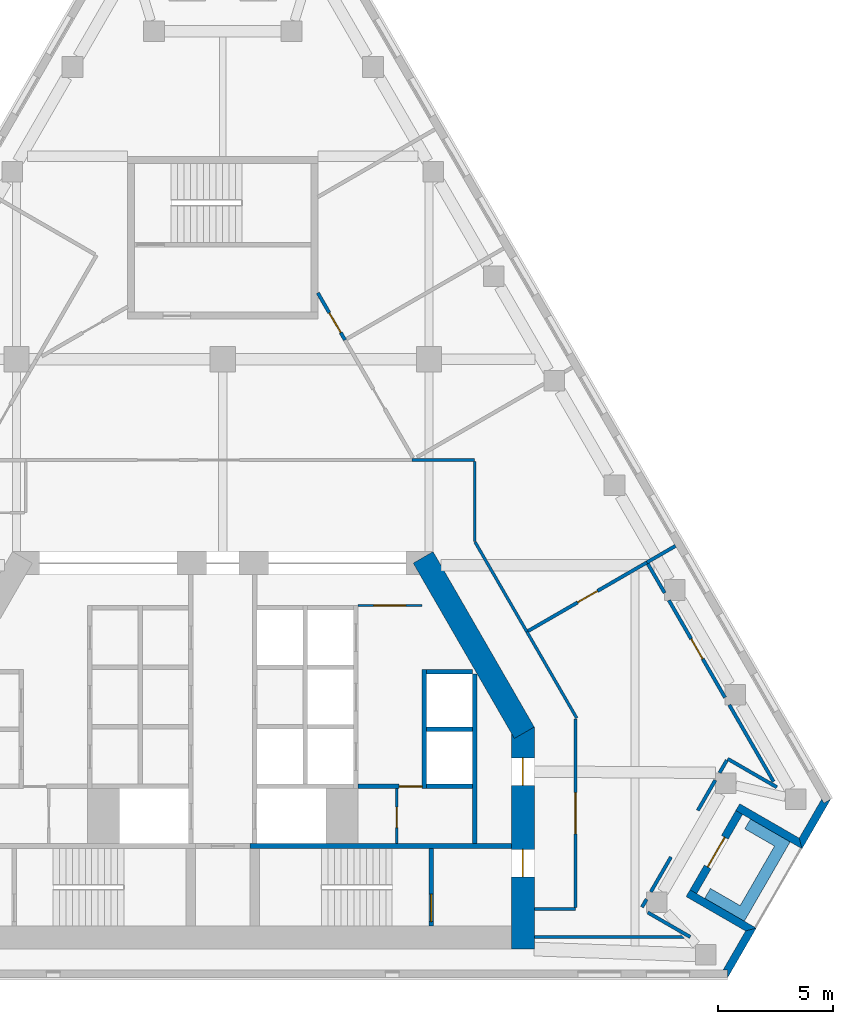
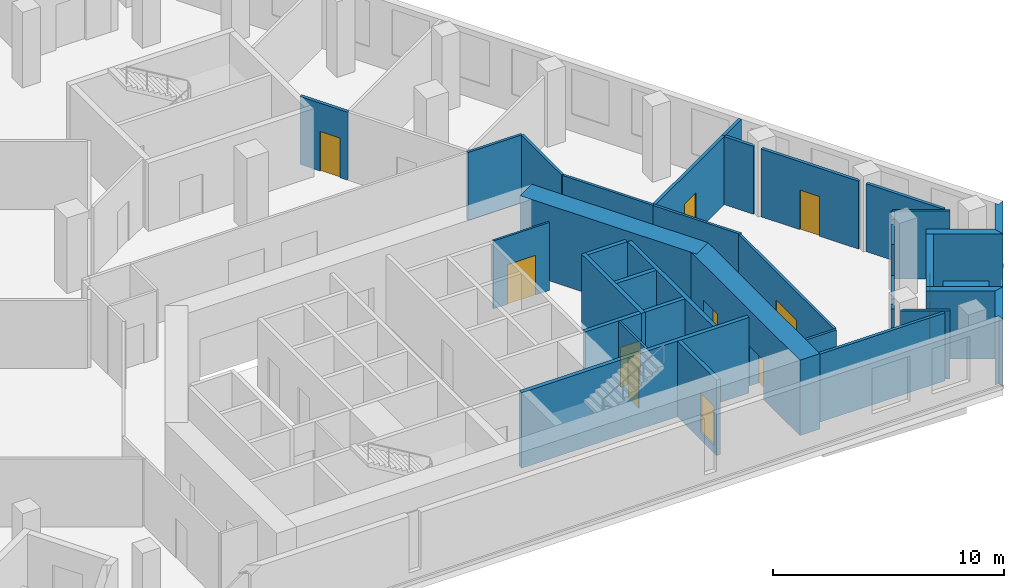
# One storey, part 5 of 8: 37 walls, 11 doors, 11 openings.
"""IFC4 building model written with IfcOpenShell, lengths in metres."""

from ifc_helpers import new_model, si_unit, direction, frame, frame_2d, origin, place, context, subcontext, project, spatial, polyline, rectangle, outline, extrude, material, layer, layer_set, type_object, element, fill, save


model = new_model("IFC4")

# Units and contexts
model_context = context("Model", 3, precision=1e-05, world=origin(), true_north=direction((0.0, 1.0)))
body_context = subcontext(model_context, "Body", "Model", "MODEL_VIEW")
ifc_project = project(units=[si_unit("LENGTHUNIT", "METRE"), si_unit("AREAUNIT", "SQUARE_METRE"), si_unit("VOLUMEUNIT", "CUBIC_METRE"), si_unit("PLANEANGLEUNIT", "RADIAN"), si_unit("MASSUNIT", "GRAM", prefix="KILO")], contexts=[model_context])

# Site, building, storey
site_placement = place(None, origin())
site = spatial("IfcSite", under=ifc_project, at=site_placement, CompositionType="ELEMENT")
building_placement = place(site_placement, origin())
building = spatial("IfcBuilding", under=site, at=building_placement, Name="Fogline Exchange Tower", CompositionType="ELEMENT")
storey_placement = place(building_placement, frame((0.0, 0.0, 239.5)))
storey = spatial("IfcBuildingStorey", under=building, at=storey_placement, Name="L54", CompositionType="ELEMENT", Elevation=239.5)

# Wall, opening, door
ifc_material_1 = material(Name="Blockwork partition", Category="masonry")
ifc_layer_1 = layer(ifc_material_1, 0.10009765625)
ifc_layer_set_1 = layer_set([ifc_layer_1], Name="CW10")
wall_type_1 = type_object("IfcWallType", Name="CW10", PredefinedType="PARTITIONING", material=ifc_layer_set_1)
wall_1_placement = place(storey_placement, frame((5.89990234375, 16.25, 0.0), z_axis=(0.0, 0.0, 1.0), x_axis=(1.0, 0.0, 0.0)))
wall_1 = element("IfcWall", 1, at=wall_1_placement, inside=storey, type_object=wall_type_1, Name="Lift lobby partition", PredefinedType="PARTITIONING", context=body_context, shape_type="SweptSolid", body=[
    extrude(rectangle(XDim=2.800048828125, YDim=0.10009765625, at=frame_2d((1.39990234375, 0.0))), origin(), (0.0, 0.0, 1.0), 3.60009765625),
])
opening_1_placement = place(wall_1_placement, frame((0.699951171875, 0.0, 0.0)))
opening_1 = element("IfcOpeningElement", 2, at=opening_1_placement, cuts=wall_1, Name="Opening T17-C016", PredefinedType="OPENING", context=body_context, shape_type="SweptSolid", body=[
    extrude(rectangle(XDim=1.39990234375, YDim=2.10009765625, at=frame_2d((0.699951171875, 1.050048828125))), frame((0.0, 0.06005859375, 0.0), z_axis=(0.0, -1.0, 0.0), x_axis=(1.0, 0.0, 0.0)), (0.0, 0.0, 1.0), 0.1201171875),
])
ifc_material_2 = material(Name="Steel and timber fire door", Category="steel")
door_type_1 = type_object("IfcDoorType", Name="D-LB1", OperationType="DOUBLE_DOOR_SINGLE_SWING", PredefinedType="DOOR", material=ifc_material_2)
door_1_placement = place(opening_1_placement, origin())
door_1 = element("IfcDoor", 3, at=door_1_placement, inside=storey, type_object=door_type_1, Name="Door to lift lobby", OperationType="DOUBLE_DOOR_SINGLE_SWING", OverallHeight=2.10009765625, OverallWidth=1.39990234375, PredefinedType="DOOR", context=body_context, shape_type="SweptSolid", body=[
    extrude(rectangle(XDim=1.39990234375, YDim=2.10009765625, at=frame_2d((0.699951171875, 1.050048828125))), frame((0.0, 0.02490234375, 0.0), z_axis=(0.0, -1.0, 0.0), x_axis=(1.0, 0.0, 0.0)), (0.0, 0.0, 1.0), 0.050048828125),
])
fill(opening_1, door_1)

wall_2_placement = place(storey_placement, frame((7.60009765625, 5.85009765625, 0.0), z_axis=(0.0, 0.0, 1.0), x_axis=(0.0, 1.0, 0.0)))
wall_2 = element("IfcWall", 4, at=wall_2_placement, inside=storey, type_object=wall_type_1, Name="WC partition", PredefinedType="PARTITIONING", context=body_context, shape_type="SweptSolid", body=[
    extrude(rectangle(XDim=2.39990234375, YDim=0.10009765625, at=frame_2d((1.199951171875, 0.0))), origin(), (0.0, 0.0, 1.0), 3.60009765625),
])
opening_2_placement = place(wall_2_placement, frame((0.699951171875, 0.0, 0.0)))
opening_2 = element("IfcOpeningElement", 5, at=opening_2_placement, cuts=wall_2, Name="Opening T17-C018", PredefinedType="OPENING", context=body_context, shape_type="SweptSolid", body=[
    extrude(rectangle(XDim=0.89990234375, YDim=2.10009765625, at=frame_2d((0.449951171875, 1.050048828125))), frame((0.0, 0.06005859375, 0.0), z_axis=(0.0, -1.0, 0.0), x_axis=(1.0, 0.0, 0.0)), (0.0, 0.0, 1.0), 0.1201171875),
])
door_type_2 = type_object("IfcDoorType", Name="D-CS1", OperationType="SINGLE_SWING_RIGHT", PredefinedType="DOOR", material=ifc_material_2)
door_2_placement = place(opening_2_placement, origin())
door_2 = element("IfcDoor", 6, at=door_2_placement, inside=storey, type_object=door_type_2, Name="Door to Cleaner's Store", OperationType="SINGLE_SWING_LEFT", OverallHeight=2.10009765625, OverallWidth=0.89990234375, PredefinedType="DOOR", context=body_context, shape_type="SweptSolid", body=[
    extrude(rectangle(XDim=0.89990234375, YDim=2.10009765625, at=frame_2d((0.449951171875, 1.050048828125))), frame((0.0, 0.02490234375, 0.0), z_axis=(0.0, -1.0, 0.0), x_axis=(1.0, 0.0, 0.0)), (0.0, 0.0, 1.0), 0.050048828125),
])
fill(opening_2, door_2)

# Wall
ifc_material_3 = material(Name="Concrete C40", Category="concrete")
ifc_layer_2 = layer(ifc_material_3, 0.199951171875)
ifc_layer_set_2 = layer_set([ifc_layer_2], Name="CW20")
wall_type_2 = type_object("IfcWallType", Name="CW20", PredefinedType="SOLIDWALL", material=ifc_layer_set_2)
wall_3_placement = place(storey_placement, frame((11.0, 5.85009765625, 0.0), z_axis=(0.0, 0.0, 1.0), x_axis=(0.0, 1.0, 0.0)))
element("IfcWall", 7, at=wall_3_placement, inside=storey, type_object=wall_type_2, Name="Service room wall", PredefinedType="SOLIDWALL", context=body_context, shape_type="SweptSolid", body=[
    extrude(rectangle(XDim=7.39990234375, YDim=0.199951171875, at=frame_2d((3.699951171875, 0.0))), origin(), (0.0, 0.0, 1.0), 3.60009765625),
])

# Wall, opening, door
wall_4_placement = place(storey_placement, frame((5.89990234375, 8.35009765625, 0.0), z_axis=(0.0, 0.0, 1.0), x_axis=(1.0, 0.0, 0.0)))
wall_4 = element("IfcWall", 8, at=wall_4_placement, inside=storey, type_object=wall_type_2, Name="WC wall", PredefinedType="SOLIDWALL", context=body_context, shape_type="SweptSolid", body=[
    extrude(rectangle(XDim=2.800048828125, YDim=0.199951171875, at=frame_2d((1.39990234375, 0.0))), origin(), (0.0, 0.0, 1.0), 3.60009765625),
])
opening_3_placement = place(wall_4_placement, frame((1.800048828125, 0.0, 0.0)))
opening_3 = element("IfcOpeningElement", 9, at=opening_3_placement, cuts=wall_4, Name="Opening T17-C017", PredefinedType="OPENING", context=body_context, shape_type="SweptSolid", body=[
    extrude(rectangle(XDim=1.0, YDim=2.10009765625, at=frame_2d((0.5, 1.050048828125))), frame((0.0, 0.10986328125, 0.0), z_axis=(0.0, -1.0, 0.0), x_axis=(1.0, 0.0, 0.0)), (0.0, 0.0, 1.0), 0.219970703125),
])
door_type_3 = type_object("IfcDoorType", Name="D-WC1", OperationType="SINGLE_SWING_LEFT", PredefinedType="DOOR", material=ifc_material_2)
door_3_placement = place(opening_3_placement, frame((1.0, 0.0, 0.0), z_axis=(0.0, 0.0, 1.0), x_axis=(-1.0, 0.0, 0.0)))
door_3 = element("IfcDoor", 10, at=door_3_placement, inside=storey, type_object=door_type_3, Name="Door to Women's WC", OperationType="SINGLE_SWING_LEFT", OverallHeight=2.10009765625, OverallWidth=1.0, PredefinedType="DOOR", context=body_context, shape_type="SweptSolid", body=[
    extrude(rectangle(XDim=1.0, YDim=2.10009765625, at=frame_2d((0.5, 1.050048828125))), frame((0.0, 0.02490234375, 0.0), z_axis=(0.0, -1.0, 0.0), x_axis=(1.0, 0.0, 0.0)), (0.0, 0.0, 1.0), 0.050048828125),
])
fill(opening_3, door_3)

# Wall
ifc_layer_3 = layer(ifc_material_3, 0.199951171875)
ifc_layer_set_3 = layer_set([ifc_layer_3], Name="CW20R")
wall_type_3 = type_object("IfcWallType", Name="CW20R", PredefinedType="SOLIDWALL", material=ifc_layer_set_3)
wall_5_placement = place(storey_placement, frame((1.199951171875, 5.75, -0.39990234375), z_axis=(0.0, 0.0, 1.0), x_axis=(1.0, 0.0, 0.0)))
element("IfcWall", 11, at=wall_5_placement, inside=storey, type_object=wall_type_3, Name="Stair enclosure wall", PredefinedType="SOLIDWALL", context=body_context, shape_type="SweptSolid", body=[
    extrude(rectangle(XDim=11.400146484375, YDim=0.199951171875, at=frame_2d((5.7001953125, 0.0))), origin(), (0.0, 0.0, 1.0), 4.0),
])

# Wall, opening, door
wall_6_placement = place(storey_placement, frame((9.10009765625, 2.25, -0.39990234375), z_axis=(0.0, 0.0, 1.0), x_axis=(0.0, 1.0, 0.0)))
wall_6 = element("IfcWall", 12, at=wall_6_placement, inside=storey, type_object=wall_type_3, Name="Stair enclosure wall", PredefinedType="SOLIDWALL", context=body_context, shape_type="SweptSolid", body=[
    extrude(rectangle(XDim=3.39990234375, YDim=0.199951171875, at=frame_2d((1.699951171875, 0.0))), origin(), (0.0, 0.0, 1.0), 4.0),
])
opening_4_placement = place(wall_6_placement, frame((0.199951171875, 0.0, 0.39990234375)))
opening_4 = element("IfcOpeningElement", 13, at=opening_4_placement, cuts=wall_6, Name="Opening T17-C020", PredefinedType="OPENING", context=body_context, shape_type="SweptSolid", body=[
    extrude(rectangle(XDim=1.199951171875, YDim=2.10009765625, at=frame_2d((0.60009765625, 1.050048828125))), frame((0.0, 0.10986328125, 0.0), z_axis=(0.0, -1.0, 0.0), x_axis=(1.0, 0.0, 0.0)), (0.0, 0.0, 1.0), 0.219970703125),
])
door_type_4 = type_object("IfcDoorType", Name="D-ST1", OperationType="SINGLE_SWING_LEFT", PredefinedType="DOOR", material=ifc_material_2)
door_4_placement = place(opening_4_placement, origin())
door_4 = element("IfcDoor", 14, at=door_4_placement, inside=storey, type_object=door_type_4, Name="Stair door ST2", OperationType="SINGLE_SWING_LEFT", OverallHeight=2.10009765625, OverallWidth=1.199951171875, PredefinedType="DOOR", context=body_context, shape_type="SweptSolid", body=[
    extrude(rectangle(XDim=1.199951171875, YDim=2.10009765625, at=frame_2d((0.60009765625, 1.050048828125))), frame((0.0, 0.02490234375, 0.0), z_axis=(0.0, -1.0, 0.0), x_axis=(1.0, 0.0, 0.0)), (0.0, 0.0, 1.0), 0.050048828125),
])
fill(opening_4, door_4)

# Walls
ifc_layer_4 = layer(ifc_material_3, 0.199951171875)
ifc_layer_set_4 = layer_set([ifc_layer_4], Name="CW20S")
wall_type_4 = type_object("IfcWallType", Name="CW20S", PredefinedType="SOLIDWALL", material=ifc_layer_set_4)
wall_7_placement = place(storey_placement, frame((8.800048828125, 8.25, -0.39990234375), z_axis=(0.0, 0.0, 1.0), x_axis=(0.0, 1.0, 0.0)))
element("IfcWall", 15, at=wall_7_placement, inside=storey, type_object=wall_type_4, Name="Lift shaft wall", PredefinedType="SOLIDWALL", context=body_context, shape_type="SweptSolid", body=[
    extrude(rectangle(XDim=5.199951171875, YDim=0.199951171875, at=frame_2d((2.60009765625, 0.0))), origin(), (0.0, 0.0, 1.0), 4.0),
])
for number, where, z_axis, x_axis, name in (
    (16, (8.89990234375, 8.35009765625, -0.39990234375), (0.0, 0.0, 1.0), (1.0, 0.0, 0.0), "Lift shaft wall"),
    (17, (8.89990234375, 10.85009765625, -0.39990234375), (0.0, 0.0, 1.0), (1.0, 0.0, 0.0), "Lift shaft wall"),
    (18, (8.89990234375, 13.35009765625, -0.39990234375), (0.0, 0.0, 1.0), (1.0, 0.0, 0.0), "Lift shaft wall"),
):
    element("IfcWall", number, at=place(storey_placement, frame(where, z_axis=z_axis, x_axis=x_axis)), inside=storey, type_object=wall_type_4, Name=name, PredefinedType="SOLIDWALL", context=body_context, shape_type="SweptSolid", body=[
        extrude(rectangle(XDim=2.0, YDim=0.199951171875, at=frame_2d((1.0, 0.0))), origin(), (0.0, 0.0, 1.0), 4.0),
    ])
ifc_material_4 = material(Name="Brick masonry", Category="masonry")
ifc_layer_5 = layer(ifc_material_4, 0.340087890625)
ifc_layer_set_5 = layer_set([ifc_layer_5], Name="FW1")
wall_type_5 = type_object("IfcWallType", Name="FW1", PredefinedType="SOLIDWALL", material=ifc_layer_set_5)
wall_8_placement = place(storey_placement, origin())
element("IfcWall", 19, at=wall_8_placement, inside=storey, type_object=wall_type_5, Name="Brick wall L54 SE-c1", PredefinedType="SOLIDWALL", context=body_context, shape_type="SweptSolid", body=[
    extrude(outline(polyline([(23.292724609375, 2.165771484375), (22.041748046875, -0.001220703125), (22.041259765625, -0.0009765625), (22.041259765625, 0.33935546875), (21.844482421875, 0.33935546875), (22.826904296875, 2.041015625), (23.29248046875, 2.166015625), (23.292724609375, 2.165771484375)])), origin(), (0.0, 0.0, 1.0), 3.60009765625),
])
wall_9_placement = place(storey_placement, origin())
element("IfcWall", 20, at=wall_9_placement, inside=storey, type_object=wall_type_5, Name="Brick wall L54 SE-s1", PredefinedType="SOLIDWALL", context=body_context, shape_type="SweptSolid", body=[
    extrude(outline(polyline([(20.228515625, 3.540283203125), (20.39892578125, 3.8359375), (20.694091796875, 3.66552734375), (23.29296875, 2.1650390625), (23.29296875, 2.164794921875), (22.8271484375, 2.0400390625), (20.228515625, 3.540283203125)])), origin(), (0.0, 0.0, 1.0), 3.60009765625),
])

# Wall, opening, door
wall_10_placement = place(storey_placement, frame((20.54638671875, 3.75, 0.0), z_axis=(0.0, 0.0, 1.0), x_axis=(0.49999894854, 0.866026010844, 0.0)))
wall_10 = element("IfcWall", 21, at=wall_10_placement, inside=storey, type_object=wall_type_5, Name="Brick wall L54 SE-bk", PredefinedType="SOLIDWALL", context=body_context, shape_type="SweptSolid", body=[
    extrude(rectangle(XDim=4.0, YDim=0.340087890625, at=frame_2d((2.0, 0.0))), origin(), (0.0, 0.0, 1.0), 3.60009765625),
])
opening_5_placement = place(wall_10_placement, frame((1.25, 0.0, 0.0)))
opening_5 = element("IfcOpeningElement", 22, at=opening_5_placement, cuts=wall_10, Name="Opening T17-E081", PredefinedType="OPENING", context=body_context, shape_type="SweptSolid", body=[
    extrude(rectangle(XDim=1.5, YDim=2.39990234375, at=frame_2d((0.75, 1.199951171875))), frame((0.0, 0.18017578125, 0.0), z_axis=(0.0, -1.0, 0.0), x_axis=(1.0, 0.0, 0.0)), (0.0, 0.0, 1.0), 0.360107421875),
])
ifc_material_5 = material(Name="Aluminium and glass", Category="aluminium")
door_type_5 = type_object("IfcDoorType", Name="ED4", OperationType="SINGLE_SWING_LEFT", PredefinedType="DOOR", material=ifc_material_5)
door_5_placement = place(opening_5_placement, frame((1.5, 0.0, 0.0), z_axis=(0.0, 0.0, 1.0), x_axis=(-1.0, 0.0, 0.0)))
door_5 = element("IfcDoor", 23, at=door_5_placement, inside=storey, type_object=door_type_5, Name="Balcony door L54 SE", OperationType="DOUBLE_DOOR_SINGLE_SWING", OverallHeight=2.39990234375, OverallWidth=1.5, PredefinedType="DOOR", context=body_context, shape_type="SweptSolid", body=[
    extrude(rectangle(XDim=1.5, YDim=2.39990234375, at=frame_2d((0.75, 1.199951171875))), frame((0.0, 0.02490234375, 0.0), z_axis=(0.0, -1.0, 0.0), x_axis=(1.0, 0.0, 0.0)), (0.0, 0.0, 1.0), 0.050048828125),
])
fill(opening_5, door_5)

# Walls
wall_11_placement = place(storey_placement, origin())
element("IfcWall", 24, at=wall_11_placement, inside=storey, type_object=wall_type_5, Name="Brick wall L54 SE-s2", PredefinedType="SOLIDWALL", context=body_context, shape_type="SweptSolid", body=[
    extrude(outline(polyline([(25.292236328125, 5.628173828125), (22.693359375, 7.128662109375), (22.3984375, 7.298828125), (22.569091796875, 7.594482421875), (25.167724609375, 6.093994140625), (25.29248046875, 5.62841796875), (25.292236328125, 5.628173828125)])), origin(), (0.0, 0.0, 1.0), 3.60009765625),
])
wall_12_placement = place(storey_placement, origin())
element("IfcWall", 25, at=wall_12_placement, inside=storey, type_object=wall_type_5, Name="Brick wall L54 SE-c2", PredefinedType="SOLIDWALL", context=body_context, shape_type="SweptSolid", body=[
    extrude(outline(polyline([(26.149169921875, 7.79541015625), (26.24755859375, 7.625), (26.54248046875, 7.79541015625), (26.542724609375, 7.794921875), (25.291748046875, 5.6279296875), (25.29150390625, 5.6279296875), (25.166748046875, 6.09375), (26.149169921875, 7.79541015625)])), origin(), (0.0, 0.0, 1.0), 3.60009765625),
])
ifc_material_6 = material(Name="Concrete C30", Category="concrete")
ifc_layer_6 = layer(ifc_material_6, 0.199951171875)
ifc_layer_set_6 = layer_set([ifc_layer_6], Name="PL1")
wall_type_6 = type_object("IfcWallType", Name="PL1", PredefinedType="USERDEFINED", material=ifc_layer_set_6)
wall_13_placement = place(storey_placement, origin())
element("IfcWall", 26, at=wall_13_placement, inside=storey, type_object=wall_type_6, Name="PLANTER balcony L54 SE", ObjectType="PLANTER", PredefinedType="USERDEFINED", context=body_context, shape_type="SweptSolid", body=[
    extrude(outline(polyline([(21.0400390625, 3.465087890625), (22.339111328125, 2.715087890625), (22.339111328125, 2.715087890625), (22.772216796875, 2.465087890625), (24.522216796875, 5.49609375), (24.772216796875, 5.92919921875), (23.0400390625, 6.92919921875), (22.7900390625, 6.49609375), (24.089111328125, 5.74609375), (22.589111328125, 3.148193359375), (21.2900390625, 3.898193359375), (21.0400390625, 3.465087890625)])), origin(), (0.0, 0.0, 1.0), 1.10009765625),
])
ifc_material_7 = material(Name="Plasterboard corridor partition with mineral wool, 2 layers each side")
ifc_layer_7 = layer(ifc_material_7, 0.125)
ifc_layer_set_7 = layer_set([ifc_layer_7], Name="PW2")
wall_type_7 = type_object("IfcWallType", Name="PW2", PredefinedType="PARTITIONING", material=ifc_layer_set_7)
wall_14_placement = place(storey_placement, frame((11.015380859375, 19.02197265625, 0.0), z_axis=(0.0, 0.0, 1.0), x_axis=(0.50001679657, -0.866015706063, 0.0)))
element("IfcWall", 27, at=wall_14_placement, inside=storey, type_object=wall_type_7, Name="wall-L54-W001", PredefinedType="PARTITIONING", context=body_context, shape_type="SweptSolid", body=[
    extrude(rectangle(XDim=4.523193359375, YDim=0.125, at=frame_2d((2.26171875, 0.0))), origin(), (0.0, 0.0, 1.0), 3.60009765625),
])
wall_15_placement = place(storey_placement, frame((13.277099609375, 15.104736328125, 0.0), z_axis=(0.0, 0.0, 1.0), x_axis=(0.500010417683, -0.866019389049, 0.0)))
element("IfcWall", 28, at=wall_15_placement, inside=storey, type_object=wall_type_7, Name="wall-L54-W002", PredefinedType="PARTITIONING", context=body_context, shape_type="SweptSolid", body=[
    extrude(rectangle(XDim=4.3544921875, YDim=0.125, at=frame_2d((2.17724609375, 0.0))), origin(), (0.0, 0.0, 1.0), 3.60009765625),
])

# Wall, opening, door
wall_16_placement = place(storey_placement, frame((15.39990234375, 11.302734375, 0.0), z_axis=(0.0, 0.0, 1.0), x_axis=(0.0, -1.0, 0.0)))
wall_16 = element("IfcWall", 29, at=wall_16_placement, inside=storey, type_object=wall_type_7, Name="wall-L54-W003", PredefinedType="PARTITIONING", context=body_context, shape_type="SweptSolid", body=[
    extrude(rectangle(XDim=8.240234375, YDim=0.125, at=frame_2d((4.1201171875, 0.0))), origin(), (0.0, 0.0, 1.0), 3.60009765625),
])
opening_6_placement = place(wall_16_placement, frame((3.22021484375, 0.0, 0.0)))
opening_6 = element("IfcOpeningElement", 30, at=opening_6_placement, cuts=wall_16, Name="Opening T17-D001", PredefinedType="OPENING", context=body_context, shape_type="SweptSolid", body=[
    extrude(rectangle(XDim=1.800048828125, YDim=2.10009765625, at=frame_2d((0.89990234375, 1.050048828125))), frame((0.0, 0.072509765625, 0.0), z_axis=(0.0, -1.0, 0.0), x_axis=(1.0, 0.0, 0.0)), (0.0, 0.0, 1.0), 0.14501953125),
])
ifc_material_8 = material(Name="Fire-rated timber door leaves with steel frame", Category="steel")
door_type_6 = type_object("IfcDoorType", Name="D4", OperationType="DOUBLE_DOOR_SINGLE_SWING", PredefinedType="DOOR", material=ifc_material_8)
door_6_placement = place(opening_6_placement, frame((1.800048828125, 0.0, 0.0), z_axis=(0.0, 0.0, 1.0), x_axis=(-1.0, 0.0, 0.0)))
door_6 = element("IfcDoor", 31, at=door_6_placement, inside=storey, type_object=door_type_6, Name="door-L54-D001", OperationType="DOUBLE_DOOR_SINGLE_SWING", OverallHeight=2.10009765625, OverallWidth=1.800048828125, PredefinedType="DOOR", context=body_context, shape_type="SweptSolid", body=[
    extrude(rectangle(XDim=1.800048828125, YDim=2.10009765625, at=frame_2d((0.89990234375, 1.050048828125))), frame((0.0, 0.02490234375, 0.0), z_axis=(0.0, -1.0, 0.0), x_axis=(1.0, 0.0, 0.0)), (0.0, 0.0, 1.0), 0.050048828125),
])
fill(opening_6, door_6)

# Walls
wall_17_placement = place(storey_placement, frame((15.39990234375, 3.0, 0.0), z_axis=(0.0, 0.0, 1.0), x_axis=(-1.0, 0.0, 0.0)))
element("IfcWall", 32, at=wall_17_placement, inside=storey, type_object=wall_type_7, Name="wall-L54-W004", PredefinedType="PARTITIONING", context=body_context, shape_type="SweptSolid", body=[
    extrude(rectangle(XDim=1.7998046875, YDim=0.125, at=frame_2d((0.89990234375, 0.0))), origin(), (0.0, 0.0, 1.0), 3.60009765625),
])
wall_18_placement = place(storey_placement, frame((8.25927734375, 22.60009765625, 0.0), z_axis=(0.0, 0.0, 1.0), x_axis=(1.0, 0.0, 0.0)))
element("IfcWall", 33, at=wall_18_placement, inside=storey, type_object=wall_type_7, Name="wall-L54-W005", PredefinedType="PARTITIONING", context=body_context, shape_type="SweptSolid", body=[
    extrude(rectangle(XDim=2.74072265625, YDim=0.125, at=frame_2d((1.370361328125, 0.0))), origin(), (0.0, 0.0, 1.0), 3.60009765625),
])
wall_19_placement = place(storey_placement, frame((11.0, 22.53759765625, 0.0), z_axis=(0.0, 0.0, 1.0), x_axis=(0.0, -1.0, 0.0)))
element("IfcWall", 34, at=wall_19_placement, inside=storey, type_object=wall_type_7, Name="wall-L54-W006", PredefinedType="PARTITIONING", context=body_context, shape_type="SweptSolid", body=[
    extrude(rectangle(XDim=3.489013671875, YDim=0.125, at=frame_2d((1.74462890625, 0.0))), origin(), (0.0, 0.0, 1.0), 3.60009765625),
])
ifc_material_9 = material(Name="Plasterboard demising partition with mineral wool and acoustic board")
ifc_layer_8 = layer(ifc_material_9, 0.14990234375)
ifc_layer_set_8 = layer_set([ifc_layer_8], Name="PW3")
wall_type_8 = type_object("IfcWallType", Name="PW3", PredefinedType="PARTITIONING", material=ifc_layer_set_8)
wall_20_placement = place(storey_placement, frame((19.765625, 18.850830078125, 0.0), z_axis=(0.0, 0.0, 1.0), x_axis=(-0.866038426532, -0.499977443261, 0.0)))
element("IfcWall", 35, at=wall_20_placement, inside=storey, type_object=wall_type_8, Name="wall-L54-W017", PredefinedType="PARTITIONING", context=body_context, shape_type="SweptSolid", body=[
    extrude(rectangle(XDim=1.4365234375, YDim=0.14990234375, at=frame_2d((0.71826171875, 0.0))), origin(), (0.0, 0.0, 1.0), 3.60009765625),
])

# Wall, opening, door
wall_21_placement = place(storey_placement, frame((18.521484375, 18.132568359375, 0.0), z_axis=(0.0, 0.0, 1.0), x_axis=(-0.866023452362, -0.500003379947, 0.0)))
wall_21 = element("IfcWall", 36, at=wall_21_placement, inside=storey, type_object=wall_type_8, Name="wall-L54-W018", PredefinedType="PARTITIONING", context=body_context, shape_type="SweptSolid", body=[
    extrude(rectangle(XDim=5.9931640625, YDim=0.14990234375, at=frame_2d((2.99658203125, 0.0))), origin(), (0.0, 0.0, 1.0), 3.60009765625),
])
opening_7_placement = place(wall_21_placement, frame((2.49658203125, 0.0, 0.0)))
opening_7 = element("IfcOpeningElement", 37, at=opening_7_placement, cuts=wall_21, Name="Opening T17-D007", PredefinedType="OPENING", context=body_context, shape_type="SweptSolid", body=[
    extrude(rectangle(XDim=1.0, YDim=2.10009765625, at=frame_2d((0.5, 1.050048828125))), frame((0.0, 0.0849609375, 0.0), z_axis=(0.0, -1.0, 0.0), x_axis=(1.0, 0.0, 0.0)), (0.0, 0.0, 1.0), 0.169921875),
])
ifc_material_10 = material(Name="Fire-rated timber door leaf with steel frame", Category="steel")
door_type_7 = type_object("IfcDoorType", Name="D3", OperationType="SINGLE_SWING_LEFT", PredefinedType="DOOR", material=ifc_material_10)
door_7_placement = place(opening_7_placement, frame((1.0, 0.0, 0.0), z_axis=(0.0, 0.0, 1.0), x_axis=(-1.0, 0.0, 0.0)))
door_7 = element("IfcDoor", 38, at=door_7_placement, inside=storey, type_object=door_type_7, Name="door-L54-D007", OperationType="SINGLE_SWING_RIGHT", OverallHeight=2.10009765625, OverallWidth=1.0, PredefinedType="DOOR", context=body_context, shape_type="SweptSolid", body=[
    extrude(rectangle(XDim=1.0, YDim=2.10009765625, at=frame_2d((0.5, 1.050048828125))), frame((0.0, 0.02490234375, 0.0), z_axis=(0.0, -1.0, 0.0), x_axis=(1.0, 0.0, 0.0)), (0.0, 0.0, 1.0), 0.050048828125),
])
fill(opening_7, door_7)

wall_22_placement = place(storey_placement, frame((5.33740234375, 27.84130859375, 0.0), z_axis=(0.0, 0.0, 1.0), x_axis=(-0.500030943131, 0.866007538022, 0.0)))
wall_22 = element("IfcWall", 39, at=wall_22_placement, inside=storey, type_object=wall_type_8, Name="wall-L54-W022", PredefinedType="PARTITIONING", context=body_context, shape_type="SweptSolid", body=[
    extrude(rectangle(XDim=2.374755859375, YDim=0.14990234375, at=frame_2d((1.1875, 0.0))), origin(), (0.0, 0.0, 1.0), 3.60009765625),
])
opening_8_placement = place(wall_22_placement, frame((0.369384765625, 0.0, 0.0)))
opening_8 = element("IfcOpeningElement", 40, at=opening_8_placement, cuts=wall_22, Name="Opening T17-D009", PredefinedType="OPENING", context=body_context, shape_type="SweptSolid", body=[
    extrude(rectangle(XDim=1.0, YDim=2.10009765625, at=frame_2d((0.5, 1.050048828125))), frame((0.0, 0.0849609375, 0.0), z_axis=(0.0, -1.0, 0.0), x_axis=(1.0, 0.0, 0.0)), (0.0, 0.0, 1.0), 0.169921875),
])
door_8_placement = place(opening_8_placement, frame((1.0, 0.0, 0.0), z_axis=(0.0, 0.0, 1.0), x_axis=(-1.0, 0.0, 0.0)))
door_8 = element("IfcDoor", 41, at=door_8_placement, inside=storey, type_object=door_type_7, Name="door-L54-D009", OperationType="SINGLE_SWING_RIGHT", OverallHeight=2.10009765625, OverallWidth=1.0, PredefinedType="DOOR", context=body_context, shape_type="SweptSolid", body=[
    extrude(rectangle(XDim=1.0, YDim=2.10009765625, at=frame_2d((0.5, 1.050048828125))), frame((0.0, 0.02490234375, 0.0), z_axis=(0.0, -1.0, 0.0), x_axis=(1.0, 0.0, 0.0)), (0.0, 0.0, 1.0), 0.050048828125),
])
fill(opening_8, door_8)

# Walls
wall_23_placement = place(storey_placement, frame((13.60009765625, 1.776611328125, 0.0), z_axis=(0.0, 0.0, 1.0), x_axis=(1.0, 0.0, 0.0)))
element("IfcWall", 42, at=wall_23_placement, inside=storey, type_object=wall_type_8, Name="wall-L54-W035", PredefinedType="PARTITIONING", context=body_context, shape_type="SweptSolid", body=[
    extrude(rectangle(XDim=6.53125, YDim=0.14990234375, at=frame_2d((3.265625, 0.0))), origin(), (0.0, 0.0, 1.0), 3.60009765625),
])
wall_24_placement = place(storey_placement, frame((20.41162109375, 1.776611328125, 0.0), z_axis=(0.0, 0.0, 1.0), x_axis=(-0.866028272008, 0.499995032058, 0.0)))
element("IfcWall", 43, at=wall_24_placement, inside=storey, type_object=wall_type_8, Name="wall-L54-W036", PredefinedType="PARTITIONING", context=body_context, shape_type="SweptSolid", body=[
    extrude(rectangle(XDim=2.14501953125, YDim=0.14990234375, at=frame_2d((1.072509765625, 0.0))), origin(), (0.0, 0.0, 1.0), 3.60009765625),
])
wall_25_placement = place(storey_placement, frame((18.304443359375, 3.079833984375, 0.0), z_axis=(0.0, 0.0, 1.0), x_axis=(0.500389020248, 0.86580068631, 0.0)))
element("IfcWall", 44, at=wall_25_placement, inside=storey, type_object=wall_type_8, Name="wall-L54-W037", PredefinedType="PARTITIONING", context=body_context, shape_type="SweptSolid", body=[
    extrude(rectangle(XDim=0.401611328125, YDim=0.14990234375, at=frame_2d((0.20068359375, 0.0))), origin(), (0.0, 0.0, 1.0), 3.60009765625),
])
wall_26_placement = place(storey_placement, frame((18.69091796875, 3.7490234375, 0.0), z_axis=(0.0, 0.0, 1.0), x_axis=(0.499927324528, 0.866067358922, 0.0)))
element("IfcWall", 45, at=wall_26_placement, inside=storey, type_object=wall_type_8, Name="wall-L54-W038", PredefinedType="PARTITIONING", context=body_context, shape_type="SweptSolid", body=[
    extrude(rectangle(XDim=1.753662109375, YDim=0.14990234375, at=frame_2d((0.876953125, 0.0))), origin(), (0.0, 0.0, 1.0), 3.60009765625),
])
wall_27_placement = place(storey_placement, frame((20.74267578125, 7.302978515625, 0.0), z_axis=(0.0, 0.0, 1.0), x_axis=(0.50006423267, 0.865988315859, 0.0)))
element("IfcWall", 46, at=wall_27_placement, inside=storey, type_object=wall_type_8, Name="wall-L54-W039", PredefinedType="PARTITIONING", context=body_context, shape_type="SweptSolid", body=[
    extrude(rectangle(XDim=1.525146484375, YDim=0.14990234375, at=frame_2d((0.7626953125, 0.0))), origin(), (0.0, 0.0, 1.0), 3.60009765625),
])
wall_28_placement = place(storey_placement, frame((21.69091796875, 8.9453125, 0.0), z_axis=(0.0, 0.0, 1.0), x_axis=(0.499890179513, 0.866088799389, 0.0)))
element("IfcWall", 47, at=wall_28_placement, inside=storey, type_object=wall_type_8, Name="wall-L54-W040", PredefinedType="PARTITIONING", context=body_context, shape_type="SweptSolid", body=[
    extrude(rectangle(XDim=0.630126953125, YDim=0.14990234375, at=frame_2d((0.31494140625, 0.0))), origin(), (0.0, 0.0, 1.0), 3.60009765625),
])
wall_29_placement = place(storey_placement, frame((22.04345703125, 9.555908203125, 0.0), z_axis=(0.0, 0.0, 1.0), x_axis=(0.866026347786, -0.499998364937, 0.0)))
element("IfcWall", 48, at=wall_29_placement, inside=storey, type_object=wall_type_8, Name="wall-L54-W041", PredefinedType="PARTITIONING", context=body_context, shape_type="SweptSolid", body=[
    extrude(rectangle(XDim=2.4765625, YDim=0.14990234375, at=frame_2d((1.23828125, 0.0))), origin(), (0.0, 0.0, 1.0), 3.60009765625),
])
wall_30_placement = place(storey_placement, frame((24.048095703125, 8.560546875, 0.0), z_axis=(0.0, 0.0, 1.0), x_axis=(-0.500001053386, 0.866024795611, 0.0)))
element("IfcWall", 49, at=wall_30_placement, inside=storey, type_object=wall_type_8, Name="wall-L54-W042", PredefinedType="PARTITIONING", context=body_context, shape_type="SweptSolid", body=[
    extrude(rectangle(XDim=3.86865234375, YDim=0.14990234375, at=frame_2d((1.934326171875, 0.0))), origin(), (0.0, 0.0, 1.0), 3.60009765625),
])

# Wall, opening, door
wall_31_placement = place(storey_placement, frame((21.92822265625, 12.232177734375, 0.0), z_axis=(0.0, 0.0, 1.0), x_axis=(-0.500001252094, 0.866024680886, 0.0)))
wall_31 = element("IfcWall", 50, at=wall_31_placement, inside=storey, type_object=wall_type_8, Name="wall-L54-W043", PredefinedType="PARTITIONING", context=body_context, shape_type="SweptSolid", body=[
    extrude(rectangle(XDim=4.90185546875, YDim=0.14990234375, at=frame_2d((2.450927734375, 0.0))), origin(), (0.0, 0.0, 1.0), 3.60009765625),
])
opening_9_placement = place(wall_31_placement, frame((1.950927734375, 0.0, 0.0)))
opening_9 = element("IfcOpeningElement", 51, at=opening_9_placement, cuts=wall_31, Name="Opening T17-D012", PredefinedType="OPENING", context=body_context, shape_type="SweptSolid", body=[
    extrude(rectangle(XDim=1.0, YDim=2.10009765625, at=frame_2d((0.5, 1.050048828125))), frame((0.0, 0.0849609375, 0.0), z_axis=(0.0, -1.0, 0.0), x_axis=(1.0, 0.0, 0.0)), (0.0, 0.0, 1.0), 0.169921875),
])
door_9_placement = place(opening_9_placement, frame((1.0, 0.0, 0.0), z_axis=(0.0, 0.0, 1.0), x_axis=(-1.0, 0.0, 0.0)))
door_9 = element("IfcDoor", 52, at=door_9_placement, inside=storey, type_object=door_type_7, Name="door-L54-D012", OperationType="SINGLE_SWING_RIGHT", OverallHeight=2.10009765625, OverallWidth=1.0, PredefinedType="DOOR", context=body_context, shape_type="SweptSolid", body=[
    extrude(rectangle(XDim=1.0, YDim=2.10009765625, at=frame_2d((0.5, 1.050048828125))), frame((0.0, 0.02490234375, 0.0), z_axis=(0.0, -1.0, 0.0), x_axis=(1.0, 0.0, 0.0)), (0.0, 0.0, 1.0), 0.050048828125),
])
fill(opening_9, door_9)

# Wall
wall_32_placement = place(storey_placement, frame((19.291748046875, 16.798583984375, 0.0), z_axis=(0.0, 0.0, 1.0), x_axis=(-0.499991665488, 0.866030215664, 0.0)))
element("IfcWall", 53, at=wall_32_placement, inside=storey, type_object=wall_type_8, Name="wall-L54-W044", PredefinedType="PARTITIONING", context=body_context, shape_type="SweptSolid", body=[
    extrude(rectangle(XDim=1.46533203125, YDim=0.14990234375, at=frame_2d((0.732666015625, 0.0))), origin(), (0.0, 0.0, 1.0), 3.60009765625),
])

# Wall, openings, doors
ifc_material_11 = material(Name="Concrete C60", Category="concrete")
ifc_layer_9 = layer(ifc_material_11, 1.0)
ifc_layer_set_9 = layer_set([ifc_layer_9], Name="SW03")
wall_type_9 = type_object("IfcWallType", Name="SW03", PredefinedType="SHEAR", material=ifc_layer_set_9)
wall_33_placement = place(storey_placement, frame((13.10009765625, 1.25, 0.0), z_axis=(0.0, 0.0, 1.0), x_axis=(0.0, 1.0, 0.0)))
wall_33 = element("IfcWall", 54, at=wall_33_placement, inside=storey, type_object=wall_type_9, Name="L54-W902", PredefinedType="SHEAR", context=body_context, shape_type="SweptSolid", body=[
    extrude(rectangle(XDim=9.6953125, YDim=1.0, at=frame_2d((4.84765625, 0.0))), origin(), (0.0, 0.0, 1.0), 4.0),
])
opening_10_placement = place(wall_33_placement, frame((3.14990234375, 0.0, 0.0)))
opening_10 = element("IfcOpeningElement", 55, at=opening_10_placement, cuts=wall_33, Name="Opening T17-C019", PredefinedType="OPENING", context=body_context, shape_type="SweptSolid", body=[
    extrude(rectangle(XDim=1.199951171875, YDim=2.10009765625, at=frame_2d((0.60009765625, 1.050048828125))), frame((0.0, 0.510009765625, 0.0), z_axis=(0.0, -1.0, 0.0), x_axis=(1.0, 0.0, 0.0)), (0.0, 0.0, 1.0), 1.02001953125),
])
opening_11_placement = place(wall_33_placement, frame((7.14990234375, 0.0, 0.0)))
opening_11 = element("IfcOpeningElement", 56, at=opening_11_placement, cuts=wall_33, Name="Opening T17-C021", PredefinedType="OPENING", context=body_context, shape_type="SweptSolid", body=[
    extrude(rectangle(XDim=1.199951171875, YDim=2.10009765625, at=frame_2d((0.60009765625, 1.050048828125))), frame((0.0, 0.510009765625, 0.0), z_axis=(0.0, -1.0, 0.0), x_axis=(1.0, 0.0, 0.0)), (0.0, 0.0, 1.0), 1.02001953125),
])
door_type_8 = type_object("IfcDoorType", Name="D-FR1", OperationType="SINGLE_SWING_RIGHT", PredefinedType="DOOR", material=ifc_material_2)
door_10_placement = place(opening_10_placement, origin())
door_10 = element("IfcDoor", 57, at=door_10_placement, inside=storey, type_object=door_type_8, Name="Front room door ST2", OperationType="SINGLE_SWING_RIGHT", OverallHeight=2.10009765625, OverallWidth=1.199951171875, PredefinedType="DOOR", context=body_context, shape_type="SweptSolid", body=[
    extrude(rectangle(XDim=1.199951171875, YDim=2.10009765625, at=frame_2d((0.60009765625, 1.050048828125))), frame((0.0, 0.02490234375, 0.0), z_axis=(0.0, -1.0, 0.0), x_axis=(1.0, 0.0, 0.0)), (0.0, 0.0, 1.0), 0.050048828125),
])
fill(opening_10, door_10)
door_type_9 = type_object("IfcDoorType", Name="D-SV1", OperationType="SINGLE_SWING_LEFT", PredefinedType="DOOR", material=ifc_material_2)
door_11_placement = place(opening_11_placement, origin())
door_11 = element("IfcDoor", 58, at=door_11_placement, inside=storey, type_object=door_type_9, Name="Service door E", OperationType="SINGLE_SWING_RIGHT", OverallHeight=2.10009765625, OverallWidth=1.199951171875, PredefinedType="DOOR", context=body_context, shape_type="SweptSolid", body=[
    extrude(rectangle(XDim=1.199951171875, YDim=2.10009765625, at=frame_2d((0.60009765625, 1.050048828125))), frame((0.0, 0.02490234375, 0.0), z_axis=(0.0, -1.0, 0.0), x_axis=(1.0, 0.0, 0.0)), (0.0, 0.0, 1.0), 0.050048828125),
])
fill(opening_11, door_11)

# Wall
wall_34_placement = place(storey_placement, frame((13.1669921875, 10.6953125, 0.0), z_axis=(0.0, 0.0, 1.0), x_axis=(-0.499995021168, 0.866028278295, 0.0)))
element("IfcWall", 59, at=wall_34_placement, inside=storey, type_object=wall_type_9, Name="L54-W903", PredefinedType="SHEAR", context=body_context, shape_type="SweptSolid", body=[
    extrude(rectangle(XDim=8.8388671875, YDim=1.0, at=frame_2d((4.41943359375, 0.0))), origin(), (0.0, 0.0, 1.0), 4.0),
])

save(model, "model.ifc")
